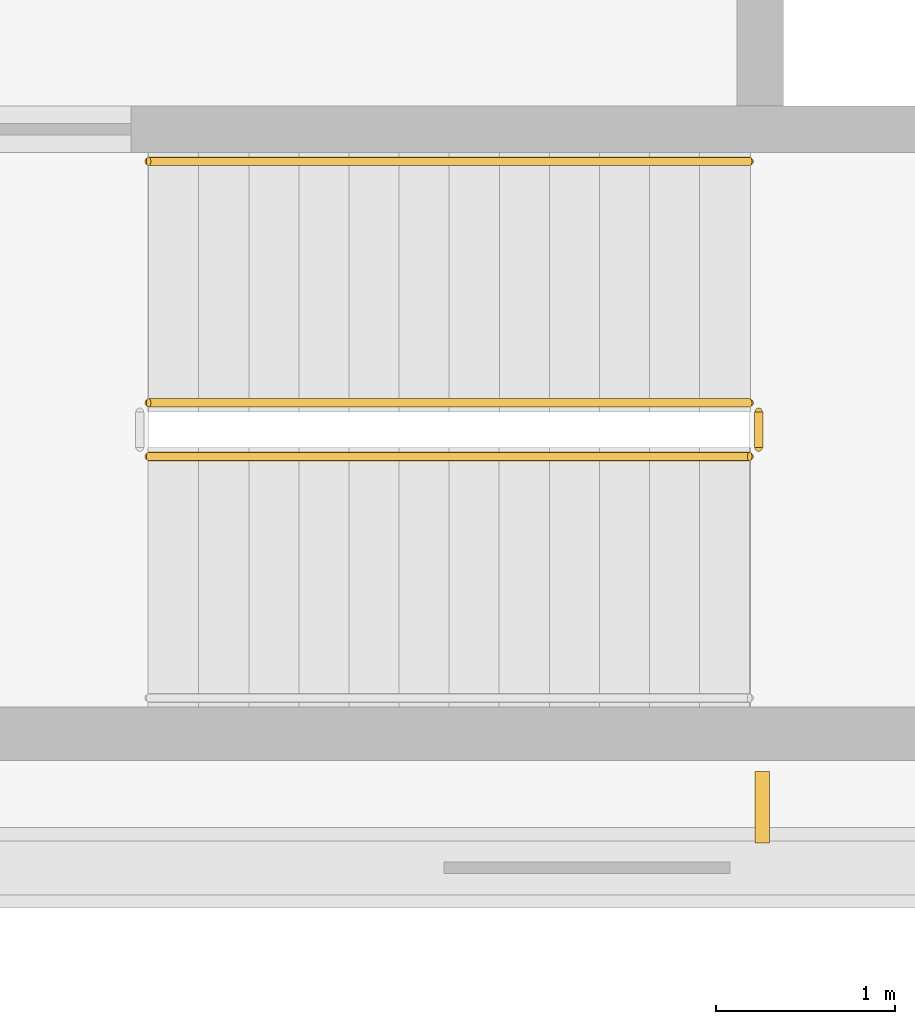
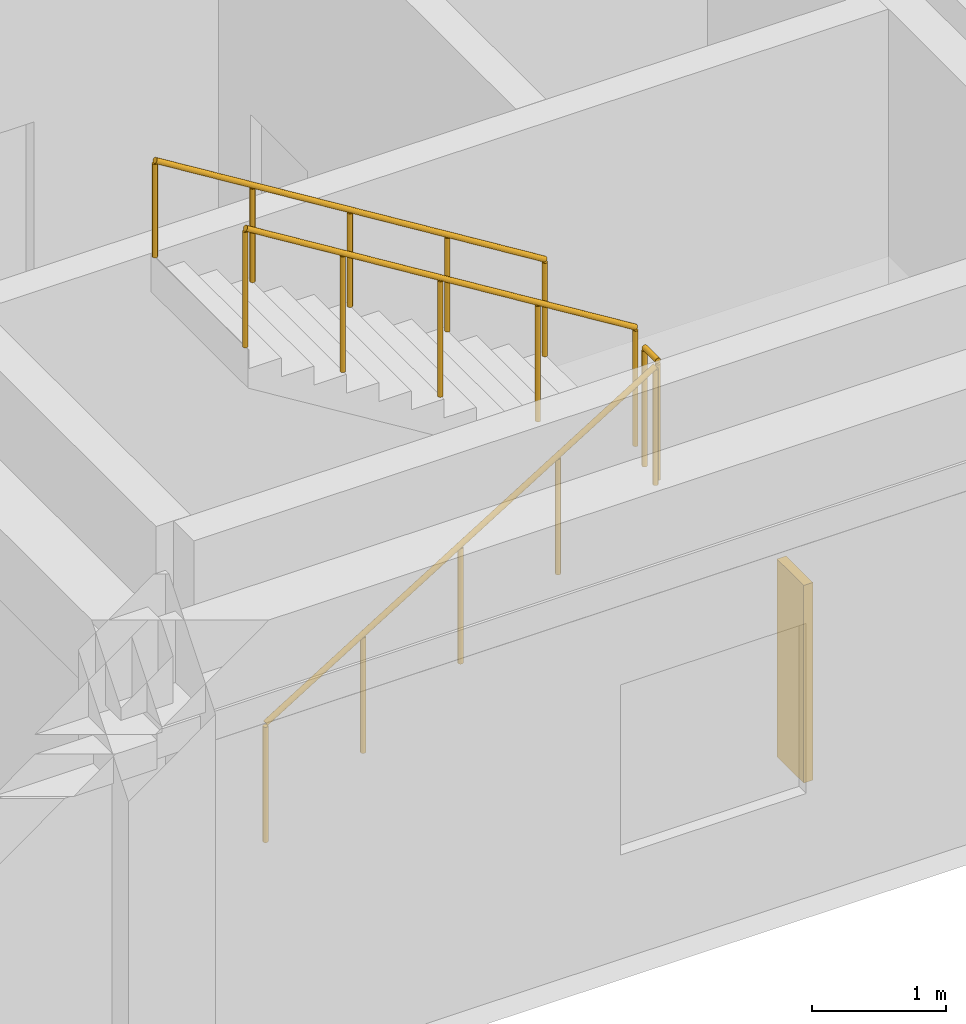
# One storey, part 107 of 109: 4 railings, 1 shading device.
"""IFC4 building model written with IfcOpenShell, lengths in metres."""

import ifcopenshell
import ifcopenshell.guid

model = None  # the IFC model being written
_history = None  # IfcOwnerHistory: only IFC2X3 demands one
_inside = {}  # id of a spatial element -> (the spatial element, [elements in it])
_under = {}  # id of a project, library or spatial element -> (it, [spatial elements below it])
_declared = {}  # id of a project -> (the project, [libraries it declares])
_typed = {}  # id of a type object -> (the type object, [elements of that type])
_made_of = {}  # id of a material, layer set ... -> (it, [elements and type objects made of it])


def new_model(schema):
    """Start an empty IFC model of exactly this schema.

    Asked for "IFC4X3", IfcOpenShell would pick the latest addendum, in which some entities
    have other attributes; the version numbers below select the first issue.
    IFC2X3 requires an IfcOwnerHistory on every rooted entity: one is made here for all.
    """
    global model, _history
    if schema == "IFC4X3":
        model = ifcopenshell.file(schema_version=(4, 3, 0, 0))
    else:
        model = ifcopenshell.file(schema=schema)
    _inside.clear()
    _under.clear()
    _declared.clear()
    _typed.clear()
    _made_of.clear()
    _history = None
    if model.schema == "IFC2X3":
        org = make("IfcOrganization", Name="unknown")
        user = make(
            "IfcPersonAndOrganization",
            ThePerson=make("IfcPerson", FamilyName="unknown"),
            TheOrganization=org,
        )
        app = make(
            "IfcApplication",
            ApplicationDeveloper=org,
            Version="unknown",
            ApplicationFullName="unknown",
            ApplicationIdentifier="unknown",
        )
        _history = make(
            "IfcOwnerHistory",
            OwningUser=user,
            OwningApplication=app,
            ChangeAction="ADDED",
            CreationDate=0,
        )
    return model


def make(cls, **values):
    """One entity of the class cls with the attributes given. An attribute that is None is left unset."""
    return model.create_entity(
        cls, **{name: value for name, value in values.items() if value is not None}
    )


def rooted(cls, **values):
    """An entity with a GlobalId (a new one), such as an element, a storey or a relation."""
    return make(cls, GlobalId=ifcopenshell.guid.new(), OwnerHistory=_history, **values)


def si_unit(unit_type, name, prefix=None):
    """IfcSIUnit, for example si_unit("LENGTHUNIT", "METRE", prefix="MILLI")."""
    return make("IfcSIUnit", UnitType=unit_type, Prefix=prefix, Name=name)


def assignment(units):
    """IfcUnitAssignment: the units of a project."""
    return None if units is None else make("IfcUnitAssignment", Units=units)


def point(xyz):
    """IfcCartesianPoint."""
    return None if xyz is None else make("IfcCartesianPoint", Coordinates=xyz)


def direction(xyz):
    """IfcDirection."""
    return None if xyz is None else make("IfcDirection", DirectionRatios=xyz)


def frame(location, z_axis=None, x_axis=None):
    """IfcAxis2Placement3D, a coordinate frame: its origin and axes. An axis left out is left unset."""
    return make(
        "IfcAxis2Placement3D",
        Location=point(location),
        Axis=direction(z_axis),
        RefDirection=direction(x_axis),
    )


def frame_2d(location, x_axis=None):
    """IfcAxis2Placement2D, a coordinate frame in the plane: its origin and x axis."""
    return make(
        "IfcAxis2Placement2D", Location=point(location), RefDirection=direction(x_axis)
    )


def origin():
    """The frame at (0, 0, 0) with its axes left unset."""
    return frame((0.0, 0.0, 0.0))


def origin_2d():
    """The frame at (0, 0) in the plane with its x axis left unset."""
    return frame_2d((0.0, 0.0))


def place(relative_to, where):
    """IfcLocalPlacement: puts the frame where relative to a parent placement (None: the world)."""
    return make(
        "IfcLocalPlacement", PlacementRelTo=relative_to, RelativePlacement=where
    )


def context(
    kind, dimensions, precision=None, world=None, true_north=None, identifier=None
):
    """IfcGeometricRepresentationContext, for example the 3D "Model" context."""
    return make(
        "IfcGeometricRepresentationContext",
        ContextIdentifier=identifier,
        ContextType=kind,
        CoordinateSpaceDimension=dimensions,
        Precision=precision,
        WorldCoordinateSystem=world,
        TrueNorth=true_north,
    )


def subcontext(parent, identifier, kind, view, scale=None):
    """IfcGeometricRepresentationSubContext, for example "Body" below "Model"."""
    return make(
        "IfcGeometricRepresentationSubContext",
        ContextIdentifier=identifier,
        ContextType=kind,
        ParentContext=parent,
        TargetScale=scale,
        TargetView=view,
    )


def project(units=None, contexts=None):
    """IfcProject with its units and contexts."""
    return rooted(
        "IfcProject",
        Name="project",
        RepresentationContexts=contexts,
        UnitsInContext=assignment(units),
    )


def spatial(cls, under=None, at=None, **own):
    """A site, building, storey or space (cls), placed at a placement, below another one or the project."""
    s = rooted(cls, ObjectPlacement=at, **own)
    if under is not None:
        _under.setdefault(under.id(), (under, []))[1].append(s)
    return s


def profile(cls, at=None, kind="AREA", **sizes):
    """A parametric profile (cls). Its sizes go by their IFC names, for example OverallWidth=200.0."""
    return make(cls, ProfileType=kind, Position=at, **sizes)


def rectangle(**sizes):
    """IfcRectangleProfileDef."""
    return profile("IfcRectangleProfileDef", **sizes)


def circle(**sizes):
    """IfcCircleProfileDef."""
    return profile("IfcCircleProfileDef", **sizes)


def extrude(swept, where, along, depth):
    """IfcExtrudedAreaSolid: the profile swept, set in the frame where, extruded along a direction by depth."""
    return make(
        "IfcExtrudedAreaSolid",
        SweptArea=swept,
        Position=where,
        ExtrudedDirection=direction(along),
        Depth=depth,
    )


def shape(context_of_items, identifier, shape_type, items):
    """IfcShapeRepresentation: the items that make up one representation, for example the "Body"."""
    return make(
        "IfcShapeRepresentation",
        ContextOfItems=context_of_items,
        RepresentationIdentifier=identifier,
        RepresentationType=shape_type,
        Items=items,
    )


def material(Name=None, Category=None):
    """IfcMaterial."""
    return make("IfcMaterial", Name=Name, Category=Category)


def made_of(thing, what):
    """Note that an element or type object is made of a material, layer set ...; save() writes the relation."""
    if what is not None:
        _made_of.setdefault(what.id(), (what, []))[1].append(thing)
    return thing


def type_object(cls, material=None, **own):
    """A type object (cls), such as IfcWallType, which elements share."""
    return made_of(rooted(cls, **own), material)


def element(
    cls,
    number,
    at=None,
    inside=None,
    cuts=None,
    type_object=None,
    material=None,
    context=None,
    identifier="Body",
    shape_type=None,
    held_by="IfcProductDefinitionShape",
    body=None,
    shapes=None,
    **own,
):
    """One element of the class cls, such as IfcWall. Its Tag is "e" and its number.

    at: its placement. inside: the storey or other place that contains it. cuts: it is an
    opening in that element (IfcRelVoidsElement). A single representation is given by context,
    identifier, shape_type and body (its items); several are given by shapes. held_by: the class
    of the entity that holds the representations. save() writes the other relations.
    """
    e = rooted(cls, Tag="e%d" % number, ObjectPlacement=at, **own)
    if body is not None:
        shapes = [shape(context, identifier, shape_type, body)]
    if shapes is not None:
        e.Representation = make(held_by, Representations=shapes)
    if inside is not None:
        _inside.setdefault(inside.id(), (inside, []))[1].append(e)
    if cuts is not None:
        rooted(
            "IfcRelVoidsElement", RelatingBuildingElement=cuts, RelatedOpeningElement=e
        )
    if type_object is not None:
        _typed.setdefault(type_object.id(), (type_object, []))[1].append(e)
    return made_of(e, material)


def aggregate(whole, parts):
    """IfcRelAggregates: a whole, such as a stair, and the parts it consists of."""
    return rooted("IfcRelAggregates", RelatingObject=whole, RelatedObjects=parts)


def save(model, path):
    """Write the relations noted so far, then the file.

    IfcRelAggregates (storeys below a building ...), IfcRelContainedInSpatialStructure (elements
    in a storey), IfcRelDefinesByType, IfcRelAssociatesMaterial and IfcRelDeclares: one each for
    every whole, place, type object, material and project.
    """
    for whole, parts in _under.values():
        aggregate(whole, parts)
    for where, things in _inside.values():
        rooted(
            "IfcRelContainedInSpatialStructure",
            RelatedElements=things,
            RelatingStructure=where,
        )
    for kind, things in _typed.values():
        rooted("IfcRelDefinesByType", RelatedObjects=things, RelatingType=kind)
    for what, things in _made_of.values():
        rooted("IfcRelAssociatesMaterial", RelatedObjects=things, RelatingMaterial=what)
    for by, libraries in _declared.values():
        rooted("IfcRelDeclares", RelatingContext=by, RelatedDefinitions=libraries)
    model.write(path)


model = new_model("IFC4")

# Units and contexts
model_context = context("Model", 3, precision=1e-05, world=origin(), true_north=direction((0.0, 1.0)))
body_context = subcontext(model_context, "Body", "Model", "MODEL_VIEW")
ifc_project = project(units=[si_unit("LENGTHUNIT", "METRE"), si_unit("AREAUNIT", "SQUARE_METRE"), si_unit("VOLUMEUNIT", "CUBIC_METRE"), si_unit("PLANEANGLEUNIT", "RADIAN"), si_unit("MASSUNIT", "GRAM", prefix="KILO")], contexts=[model_context])

# Site, building, storey
site_placement = place(None, origin())
site = spatial("IfcSite", under=ifc_project, at=site_placement, CompositionType="ELEMENT")
building_placement = place(site_placement, origin())
building = spatial("IfcBuilding", under=site, at=building_placement, Name="Fikremerkos Civic Library", CompositionType="ELEMENT")
storey_placement = place(building_placement, frame((0.0, 0.0, 5.39990234375)))
storey = spatial("IfcBuildingStorey", under=building, at=storey_placement, Name="L01", CompositionType="ELEMENT", Elevation=5.39990234375)

# Railings
ifc_material_1 = material(Name="Painted Steel S275", Category="steel")
railing_type_1 = type_object("IfcRailingType", Name="Interior balustrade guard RLG-INT 1100", PredefinedType="BALUSTRADE", material=ifc_material_1)
railing_1_placement = place(storey_placement, frame((127.14990234375, 14.300048828125, 0.173095703125)))
element("IfcRailing", 1, at=railing_1_placement, inside=storey, type_object=railing_type_1, Name="L01 ST-K4 stair guard 1", PredefinedType="BALUSTRADE", context=body_context, shape_type="SweptSolid", body=[
    extrude(circle(Radius=0.02392578125, at=origin_2d()), frame((0.0, 0.0, 1.076171875), z_axis=(0.850623216509, 0.0, 0.525775754039), x_axis=(0.0, 1.0, 0.0)), (0.0, 0.0, 1.0), 3.9501953125),
    extrude(circle(Radius=0.02099609375, at=origin_2d()), origin(), (0.0, 0.0, 1.0), 1.052001953125),
    extrude(circle(Radius=0.02099609375, at=origin_2d()), frame((0.840087890625, 0.0, 0.519287109375)), (0.0, 0.0, 1.0), 1.052001953125),
    extrude(circle(Radius=0.02099609375, at=origin_2d()), frame((1.68017578125, 0.0, 1.03857421875)), (0.0, 0.0, 1.0), 1.052001953125),
    extrude(circle(Radius=0.02099609375, at=origin_2d()), frame((2.52001953125, 0.0, 1.5576171875)), (0.0, 0.0, 1.0), 1.052001953125),
    extrude(circle(Radius=0.02099609375, at=origin_2d()), frame((3.360107421875, 0.0, 2.076904296875)), (0.0, 0.0, 1.0), 1.052001953125),
])
railing_2_placement = place(storey_placement, frame((130.56005859375, 14.35009765625, 2.25)))
element("IfcRailing", 2, at=railing_2_placement, inside=storey, type_object=railing_type_1, Name="L01 ST-K4 stair guard 2", PredefinedType="BALUSTRADE", context=body_context, shape_type="SweptSolid", body=[
    extrude(circle(Radius=0.02392578125, at=origin_2d()), frame((0.0, 0.0, 1.076171875), z_axis=(0.0, 1.0, 0.0), x_axis=(-1.0, 0.0, 0.0)), (0.0, 0.0, 1.0), 0.199951171875),
    extrude(circle(Radius=0.02099609375, at=origin_2d()), origin(), (0.0, 0.0, 1.0), 1.052001953125),
    extrude(circle(Radius=0.02099609375, at=origin_2d()), frame((0.0, 0.199951171875, 0.0)), (0.0, 0.0, 1.0), 1.052001953125),
])
railing_3_placement = place(storey_placement, frame((130.510009765625, 14.60009765625, 2.423095703125)))
element("IfcRailing", 3, at=railing_3_placement, inside=storey, type_object=railing_type_1, Name="L01 ST-K4 stair guard 3", PredefinedType="BALUSTRADE", context=body_context, shape_type="SweptSolid", body=[
    extrude(circle(Radius=0.02392578125, at=origin_2d()), frame((0.0, 0.0, 1.076171875), z_axis=(-0.850623216509, 0.0, 0.525775754039), x_axis=(0.0, -1.0, 0.0)), (0.0, 0.0, 1.0), 3.9501953125),
    extrude(circle(Radius=0.02099609375, at=origin_2d()), origin(), (0.0, 0.0, 1.0), 1.052001953125),
    extrude(circle(Radius=0.02099609375, at=origin_2d()), frame((-0.840087890625, 0.0, 0.519287109375)), (0.0, 0.0, 1.0), 1.052001953125),
    extrude(circle(Radius=0.02099609375, at=origin_2d()), frame((-1.68017578125, 0.0, 1.03857421875)), (0.0, 0.0, 1.0), 1.052001953125),
    extrude(circle(Radius=0.02099609375, at=origin_2d()), frame((-2.52001953125, 0.0, 1.5576171875)), (0.0, 0.0, 1.0), 1.052001953125),
    extrude(circle(Radius=0.02099609375, at=origin_2d()), frame((-3.360107421875, 0.0, 2.076904296875)), (0.0, 0.0, 1.0), 1.052001953125),
])

# Shading device
ifc_material_2 = material(Name="Bronze anodized aluminium", Category="aluminium")
shading_device_type = type_object("IfcShadingDeviceType", Name="Perforated bronze vertical solar fin SHD-02", PredefinedType="USERDEFINED", material=ifc_material_2)
shading_device_placement = place(storey_placement, frame((130.580078125, 12.340087890625, 0.8251953125), z_axis=(0.0, 0.0, 1.0), x_axis=(1.0, 0.0, 0.0)))
element("IfcShadingDevice", 4, at=shading_device_placement, inside=storey, type_object=shading_device_type, Name="Vertical bronze solar fin SHD-02 L01 #21", ObjectType="SOLAR FIN", PredefinedType="USERDEFINED", context=body_context, shape_type="SweptSolid", body=[
    extrude(rectangle(XDim=0.080078125, YDim=0.39990234375, at=origin_2d()), origin(), (0.0, 0.0, 1.0), 1.800048828125),
])

# Railing
ifc_material_3 = material(Name="Brushed stainless steel", Category="steel")
railing_type_2 = type_object("IfcRailingType", Name="Wall and flight handrail HRL-01 900", PredefinedType="HANDRAIL", material=ifc_material_3)
railing_4_placement = place(storey_placement, frame((130.510009765625, 15.949951171875, 2.423095703125)))
element("IfcRailing", 5, at=railing_4_placement, inside=storey, type_object=railing_type_2, Name="L01 ST-K4 stair handrail 2", PredefinedType="HANDRAIL", context=body_context, shape_type="SweptSolid", body=[
    extrude(circle(Radius=0.02392578125, at=origin_2d()), frame((0.0, 0.0, 0.8759765625), z_axis=(-0.850623216509, 0.0, 0.525775754039), x_axis=(0.0, -1.0, 0.0)), (0.0, 0.0, 1.0), 3.9501953125),
    extrude(circle(Radius=0.02099609375, at=origin_2d()), origin(), (0.0, 0.0, 1.0), 0.851806640625),
    extrude(circle(Radius=0.02099609375, at=origin_2d()), frame((-0.840087890625, 0.0, 0.519287109375)), (0.0, 0.0, 1.0), 0.851806640625),
    extrude(circle(Radius=0.02099609375, at=origin_2d()), frame((-1.68017578125, 0.0, 1.03857421875)), (0.0, 0.0, 1.0), 0.851806640625),
    extrude(circle(Radius=0.02099609375, at=origin_2d()), frame((-2.52001953125, 0.0, 1.5576171875)), (0.0, 0.0, 1.0), 0.851806640625),
    extrude(circle(Radius=0.02099609375, at=origin_2d()), frame((-3.360107421875, 0.0, 2.076904296875)), (0.0, 0.0, 1.0), 0.851806640625),
])

save(model, "model.ifc")
